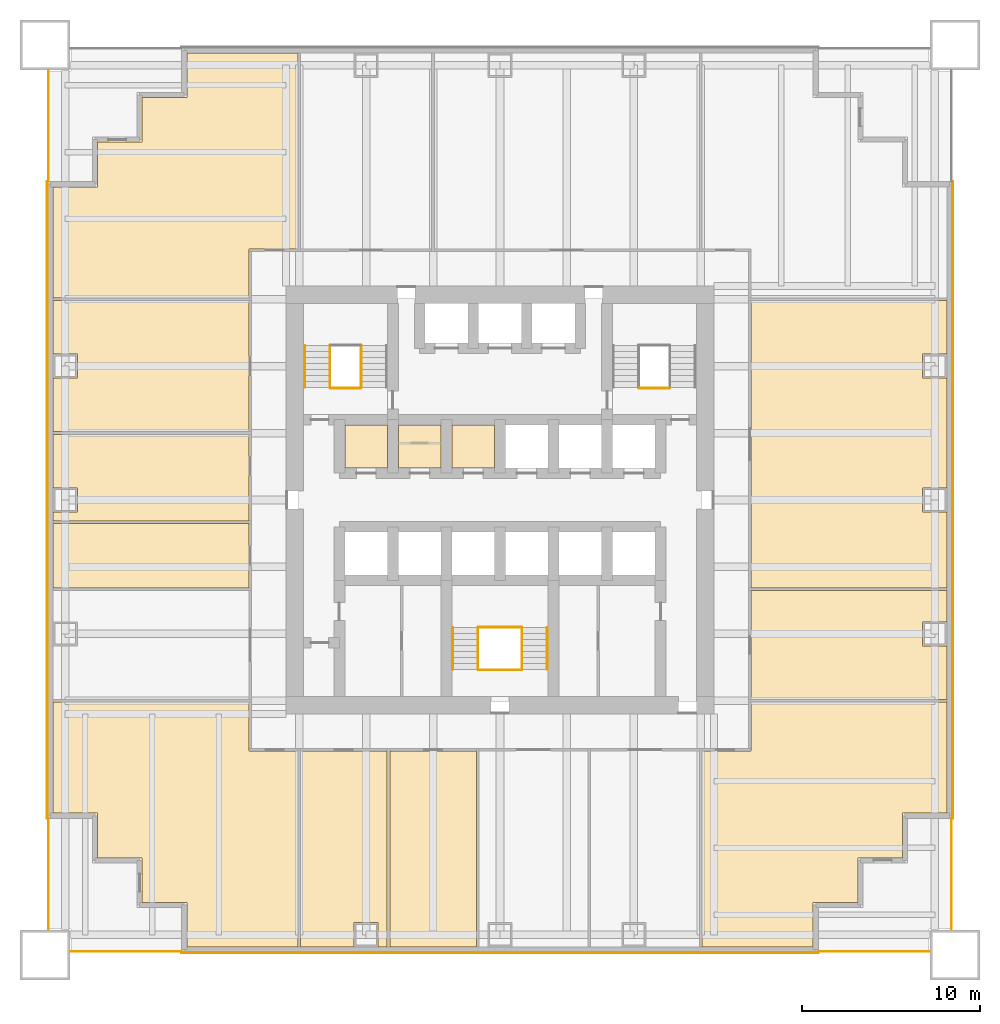
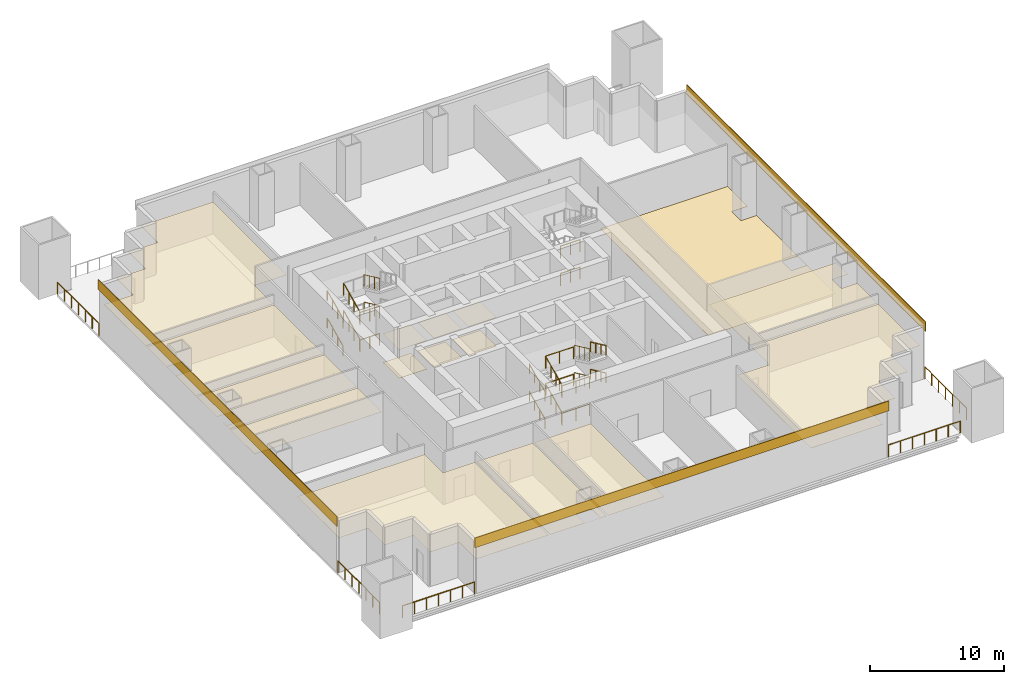
# One storey, part 5 of 6: 27 railings, 19 coverings.
"""IFC4 building model written with IfcOpenShell, lengths in metres."""

from ifc_helpers import new_model, si_unit, direction, frame, origin, origin_2d, place, context, subcontext, project, spatial, polyline, rectangle, circle, outline, extrude, material, layer, layer_set, type_object, element, save


model = new_model("IFC4")

# Units and contexts
model_context = context("Model", 3, precision=1e-05, world=origin(), true_north=direction((0.0, 1.0)))
body_context = subcontext(model_context, "Body", "Model", "MODEL_VIEW")
ifc_project = project(units=[si_unit("LENGTHUNIT", "METRE"), si_unit("AREAUNIT", "SQUARE_METRE"), si_unit("VOLUMEUNIT", "CUBIC_METRE"), si_unit("PLANEANGLEUNIT", "RADIAN"), si_unit("MASSUNIT", "GRAM", prefix="KILO")], contexts=[model_context])

# Site, building, storey
site_placement = place(None, origin())
site = spatial("IfcSite", under=ifc_project, at=site_placement, CompositionType="ELEMENT")
building_placement = place(site_placement, origin())
building = spatial("IfcBuilding", under=site, at=building_placement, Name="Tarangal Relay Tower", CompositionType="ELEMENT")
storey_placement = place(building_placement, frame((0.0, 0.0, 93.39990234375)))
storey = spatial("IfcBuildingStorey", under=building, at=storey_placement, Name="L18", CompositionType="ELEMENT", Elevation=93.39990234375)

# Coverings
ifc_material_1 = material(Name="Anti-static vinyl flooring", Category="plastic")
ifc_layer_1 = layer(ifc_material_1, 0.010009765625)
ifc_layer_set_1 = layer_set([ifc_layer_1], Name="Anti-static vinyl floor")
covering_type_1 = type_object("IfcCoveringType", Name="Anti-static vinyl floor", PredefinedType="FLOORING", material=ifc_layer_set_1)
covering_1_placement = place(storey_placement, origin())
element("IfcCovering", 1, at=covering_1_placement, inside=storey, type_object=covering_type_1, Name="Floor finish FL1 L18-D1", PredefinedType="FLOORING", context=body_context, shape_type="SweptSolid", body=[
    extrude(outline(polyline([(-8.699951171875, 1.800048828125), (-6.300048828125, 1.800048828125), (-6.300048828125, 4.199951171875), (-8.699951171875, 4.199951171875), (-8.699951171875, 1.800048828125)])), origin(), (0.0, 0.0, 1.0), 0.010009765625),
])
covering_2_placement = place(storey_placement, origin())
element("IfcCovering", 2, at=covering_2_placement, inside=storey, type_object=covering_type_1, Name="Floor finish FL1 L18-D2", PredefinedType="FLOORING", context=body_context, shape_type="SweptSolid", body=[
    extrude(outline(polyline([(-5.699951171875, 1.800048828125), (-3.300048828125, 1.800048828125), (-3.300048828125, 4.199951171875), (-5.699951171875, 4.199951171875), (-5.699951171875, 1.800048828125)])), origin(), (0.0, 0.0, 1.0), 0.010009765625),
])
covering_3_placement = place(storey_placement, origin())
element("IfcCovering", 3, at=covering_3_placement, inside=storey, type_object=covering_type_1, Name="Floor finish FL1 L18-D3", PredefinedType="FLOORING", context=body_context, shape_type="SweptSolid", body=[
    extrude(outline(polyline([(-2.699951171875, 1.800048828125), (-0.300048828125, 1.800048828125), (-0.300048828125, 4.199951171875), (-2.699951171875, 4.199951171875), (-2.699951171875, 1.800048828125)])), origin(), (0.0, 0.0, 1.0), 0.010009765625),
])
covering_4_placement = place(storey_placement, origin())
element("IfcCovering", 4, at=covering_4_placement, inside=storey, type_object=covering_type_1, Name="Floor finish FL1 L18-04", PredefinedType="FLOORING", context=body_context, shape_type="SweptSolid", body=[
    extrude(outline(polyline([(25.050048828125, -4.925048828125), (25.050048828125, 11.175048828125), (14.074951171875, 11.175048828125), (14.074951171875, -4.925048828125), (25.050048828125, -4.925048828125)]), holes=[polyline([(25.0400390625, -0.675048828125), (25.0400390625, 0.675048828125), (23.68994140625, 0.675048828125), (23.68994140625, -0.675048828125), (25.0400390625, -0.675048828125)]), polyline([(25.0400390625, 6.824951171875), (25.0400390625, 8.175048828125), (23.68994140625, 8.175048828125), (23.68994140625, 6.824951171875), (25.0400390625, 6.824951171875)])]), origin(), (0.0, 0.0, 1.0), 0.010009765625),
])
ifc_material_2 = material(Name="Black anodised aluminium cladding", Category="aluminium")
ifc_layer_2 = layer(ifc_material_2, 0.050048828125)
ifc_layer_set_2 = layer_set([ifc_layer_2], Name="Black metal spandrel band")
covering_type_2 = type_object("IfcCoveringType", Name="Black metal spandrel band", PredefinedType="CLADDING", material=ifc_layer_set_2)
for number, where, z_axis, x_axis, name in (
    (5, (25.375, 0.0, 4.250244140625), (0.0, 0.0, 1.0), (0.0, -1.0, 0.0), "Spandrel band SB1 E L18"),
    (6, (0.0, -25.375, 4.250244140625), (0.0, 0.0, 1.0), (-1.0, 0.0, 0.0), "Spandrel band SB1 S L18"),
    (7, (-25.375, 0.0, 4.250244140625), (0.0, 0.0, 1.0), (0.0, 1.0, 0.0), "Spandrel band SB1 W L18"),
):
    element("IfcCovering", number, at=place(storey_placement, frame(where, z_axis=z_axis, x_axis=x_axis)), inside=storey, type_object=covering_type_2, Name=name, PredefinedType="CLADDING", context=body_context, shape_type="SweptSolid", body=[
        extrude(rectangle(XDim=35.699951171875, YDim=0.050048828125, at=origin_2d()), origin(), (0.0, 0.0, 1.0), 0.89990234375),
    ])

# Railings
ifc_material_3 = material(Name="Steel guard, black finish", Category="steel")
railing_type_1 = type_object("IfcRailingType", Name="Stair guard 1100", PredefinedType="GUARDRAIL", material=ifc_material_3)
railing_1_placement = place(storey_placement, frame((-9.530029296875, 6.300048828125, 0.156494140625)))
element("IfcRailing", 8, at=railing_1_placement, inside=storey, type_object=railing_type_1, Name="Stair ST-A guard GR1 L18 flight 1", PredefinedType="GUARDRAIL", context=body_context, shape_type="SweptSolid", body=[
    extrude(circle(Radius=0.02392578125, at=origin_2d()), frame((0.0, 0.0, 1.076171875), z_axis=(0.0, 0.906303632821, 0.42262717037), x_axis=(-1.0, 0.0, 0.0)), (0.0, 0.0, 1.0), 2.58740234375),
    extrude(circle(Radius=0.02099609375, at=origin_2d()), origin(), (0.0, 0.0, 1.0), 1.052001953125),
    extrude(circle(Radius=0.02099609375, at=origin_2d()), frame((0.0, 0.78173828125, 0.364501953125)), (0.0, 0.0, 1.0), 1.052001953125),
    extrude(circle(Radius=0.02099609375, at=origin_2d()), frame((0.0, 1.563232421875, 0.72900390625)), (0.0, 0.0, 1.0), 1.052001953125),
    extrude(circle(Radius=0.02099609375, at=origin_2d()), frame((0.0, 2.344970703125, 1.093505859375)), (0.0, 0.0, 1.0), 1.052001953125),
])
railing_2_placement = place(storey_placement, frame((-7.77001953125, 8.64501953125, 1.406494140625)))
element("IfcRailing", 9, at=railing_2_placement, inside=storey, type_object=railing_type_1, Name="Stair ST-A guard GR1 L18 flight 2", PredefinedType="GUARDRAIL", context=body_context, shape_type="SweptSolid", body=[
    extrude(circle(Radius=0.02392578125, at=origin_2d()), frame((0.0, 0.0, 1.076171875), z_axis=(0.0, -0.906303632821, 0.42262717037), x_axis=(1.0, 0.0, 0.0)), (0.0, 0.0, 1.0), 2.58740234375),
    extrude(circle(Radius=0.02099609375, at=origin_2d()), origin(), (0.0, 0.0, 1.0), 1.052001953125),
    extrude(circle(Radius=0.02099609375, at=origin_2d()), frame((0.0, -0.78173828125, 0.364501953125)), (0.0, 0.0, 1.0), 1.052001953125),
    extrude(circle(Radius=0.02099609375, at=origin_2d()), frame((0.0, -1.563232421875, 0.72900390625)), (0.0, 0.0, 1.0), 1.052001953125),
    extrude(circle(Radius=0.02099609375, at=origin_2d()), frame((0.0, -2.344970703125, 1.093505859375)), (0.0, 0.0, 1.0), 1.052001953125),
])
railing_3_placement = place(storey_placement, frame((-9.530029296875, 6.300048828125, 2.656494140625)))
element("IfcRailing", 10, at=railing_3_placement, inside=storey, type_object=railing_type_1, Name="Stair ST-A guard GR1 L18 flight 3", PredefinedType="GUARDRAIL", context=body_context, shape_type="SweptSolid", body=[
    extrude(circle(Radius=0.02392578125, at=origin_2d()), frame((0.0, 0.0, 1.076171875), z_axis=(0.0, 0.906303632821, 0.42262717037), x_axis=(-1.0, 0.0, 0.0)), (0.0, 0.0, 1.0), 2.58740234375),
    extrude(circle(Radius=0.02099609375, at=origin_2d()), origin(), (0.0, 0.0, 1.0), 1.052001953125),
    extrude(circle(Radius=0.02099609375, at=origin_2d()), frame((0.0, 0.78173828125, 0.364501953125)), (0.0, 0.0, 1.0), 1.052001953125),
    extrude(circle(Radius=0.02099609375, at=origin_2d()), frame((0.0, 1.563232421875, 0.72900390625)), (0.0, 0.0, 1.0), 1.052001953125),
    extrude(circle(Radius=0.02099609375, at=origin_2d()), frame((0.0, 2.344970703125, 1.093505859375)), (0.0, 0.0, 1.0), 1.052001953125),
])
railing_4_placement = place(storey_placement, frame((-7.77001953125, 8.64501953125, 3.906494140625)))
element("IfcRailing", 11, at=railing_4_placement, inside=storey, type_object=railing_type_1, Name="Stair ST-A guard GR1 L18 flight 4", PredefinedType="GUARDRAIL", context=body_context, shape_type="SweptSolid", body=[
    extrude(circle(Radius=0.02392578125, at=origin_2d()), frame((0.0, 0.0, 1.076171875), z_axis=(0.0, -0.906303632821, 0.42262717037), x_axis=(1.0, 0.0, 0.0)), (0.0, 0.0, 1.0), 2.58740234375),
    extrude(circle(Radius=0.02099609375, at=origin_2d()), origin(), (0.0, 0.0, 1.0), 1.052001953125),
    extrude(circle(Radius=0.02099609375, at=origin_2d()), frame((0.0, -0.78173828125, 0.364501953125)), (0.0, 0.0, 1.0), 1.052001953125),
    extrude(circle(Radius=0.02099609375, at=origin_2d()), frame((0.0, -1.563232421875, 0.72900390625)), (0.0, 0.0, 1.0), 1.052001953125),
    extrude(circle(Radius=0.02099609375, at=origin_2d()), frame((0.0, -2.344970703125, 1.093505859375)), (0.0, 0.0, 1.0), 1.052001953125),
])
for number, where, name in (
    (12, (-9.5, 6.27001953125, 0.0), "Stair ST-A landing guard GR1 L18"),
    (13, (-9.5, 6.27001953125, 2.5), "Stair ST-A landing guard GR1 L18"),
    (14, (7.800048828125, 6.27001953125, 0.0), "Stair ST-B landing guard GR1 L18"),
    (15, (7.800048828125, 6.27001953125, 2.5), "Stair ST-B landing guard GR1 L18"),
):
    element("IfcRailing", number, at=place(storey_placement, frame(where)), inside=storey, type_object=railing_type_1, Name=name, PredefinedType="GUARDRAIL", context=body_context, shape_type="SweptSolid", body=[
        extrude(circle(Radius=0.02392578125, at=origin_2d()), frame((0.0, 0.0, 1.076171875), z_axis=(1.0, 0.0, 0.0), x_axis=(0.0, 1.0, 0.0)), (0.0, 0.0, 1.0), 1.699951171875),
        extrude(circle(Radius=0.02099609375, at=origin_2d()), origin(), (0.0, 0.0, 1.0), 1.052001953125),
        extrude(circle(Radius=0.02099609375, at=origin_2d()), frame((0.85009765625, 0.0, 0.0)), (0.0, 0.0, 1.0), 1.052001953125),
        extrude(circle(Radius=0.02099609375, at=origin_2d()), frame((1.699951171875, 0.0, 0.0)), (0.0, 0.0, 1.0), 1.052001953125),
    ])
railing_5_placement = place(storey_placement, frame((-1.22998046875, -9.5, 0.156494140625)))
element("IfcRailing", 16, at=railing_5_placement, inside=storey, type_object=railing_type_1, Name="Stair ST-C guard GR1 L18 flight 1", PredefinedType="GUARDRAIL", context=body_context, shape_type="SweptSolid", body=[
    extrude(circle(Radius=0.02392578125, at=origin_2d()), frame((0.0, 0.0, 1.076171875), z_axis=(0.0, 0.906303632821, 0.42262717037), x_axis=(-1.0, 0.0, 0.0)), (0.0, 0.0, 1.0), 2.58740234375),
    extrude(circle(Radius=0.02099609375, at=origin_2d()), origin(), (0.0, 0.0, 1.0), 1.052001953125),
    extrude(circle(Radius=0.02099609375, at=origin_2d()), frame((0.0, 0.78173828125, 0.364501953125)), (0.0, 0.0, 1.0), 1.052001953125),
    extrude(circle(Radius=0.02099609375, at=origin_2d()), frame((0.0, 1.563232421875, 0.72900390625)), (0.0, 0.0, 1.0), 1.052001953125),
    extrude(circle(Radius=0.02099609375, at=origin_2d()), frame((0.0, 2.344970703125, 1.093505859375)), (0.0, 0.0, 1.0), 1.052001953125),
])
railing_6_placement = place(storey_placement, frame((1.22998046875, -7.155029296875, 1.406494140625)))
element("IfcRailing", 17, at=railing_6_placement, inside=storey, type_object=railing_type_1, Name="Stair ST-C guard GR1 L18 flight 2", PredefinedType="GUARDRAIL", context=body_context, shape_type="SweptSolid", body=[
    extrude(circle(Radius=0.02392578125, at=origin_2d()), frame((0.0, 0.0, 1.076171875), z_axis=(0.0, -0.906303632821, 0.42262717037), x_axis=(1.0, 0.0, 0.0)), (0.0, 0.0, 1.0), 2.58740234375),
    extrude(circle(Radius=0.02099609375, at=origin_2d()), origin(), (0.0, 0.0, 1.0), 1.052001953125),
    extrude(circle(Radius=0.02099609375, at=origin_2d()), frame((0.0, -0.78173828125, 0.364501953125)), (0.0, 0.0, 1.0), 1.052001953125),
    extrude(circle(Radius=0.02099609375, at=origin_2d()), frame((0.0, -1.563232421875, 0.72900390625)), (0.0, 0.0, 1.0), 1.052001953125),
    extrude(circle(Radius=0.02099609375, at=origin_2d()), frame((0.0, -2.344970703125, 1.093505859375)), (0.0, 0.0, 1.0), 1.052001953125),
])
railing_7_placement = place(storey_placement, frame((-1.22998046875, -9.5, 2.656494140625)))
element("IfcRailing", 18, at=railing_7_placement, inside=storey, type_object=railing_type_1, Name="Stair ST-C guard GR1 L18 flight 3", PredefinedType="GUARDRAIL", context=body_context, shape_type="SweptSolid", body=[
    extrude(circle(Radius=0.02392578125, at=origin_2d()), frame((0.0, 0.0, 1.076171875), z_axis=(0.0, 0.906303632821, 0.42262717037), x_axis=(-1.0, 0.0, 0.0)), (0.0, 0.0, 1.0), 2.58740234375),
    extrude(circle(Radius=0.02099609375, at=origin_2d()), origin(), (0.0, 0.0, 1.0), 1.052001953125),
    extrude(circle(Radius=0.02099609375, at=origin_2d()), frame((0.0, 0.78173828125, 0.364501953125)), (0.0, 0.0, 1.0), 1.052001953125),
    extrude(circle(Radius=0.02099609375, at=origin_2d()), frame((0.0, 1.563232421875, 0.72900390625)), (0.0, 0.0, 1.0), 1.052001953125),
    extrude(circle(Radius=0.02099609375, at=origin_2d()), frame((0.0, 2.344970703125, 1.093505859375)), (0.0, 0.0, 1.0), 1.052001953125),
])
railing_8_placement = place(storey_placement, frame((1.22998046875, -7.155029296875, 3.906494140625)))
element("IfcRailing", 19, at=railing_8_placement, inside=storey, type_object=railing_type_1, Name="Stair ST-C guard GR1 L18 flight 4", PredefinedType="GUARDRAIL", context=body_context, shape_type="SweptSolid", body=[
    extrude(circle(Radius=0.02392578125, at=origin_2d()), frame((0.0, 0.0, 1.076171875), z_axis=(0.0, -0.906303632821, 0.42262717037), x_axis=(1.0, 0.0, 0.0)), (0.0, 0.0, 1.0), 2.58740234375),
    extrude(circle(Radius=0.02099609375, at=origin_2d()), origin(), (0.0, 0.0, 1.0), 1.052001953125),
    extrude(circle(Radius=0.02099609375, at=origin_2d()), frame((0.0, -0.78173828125, 0.364501953125)), (0.0, 0.0, 1.0), 1.052001953125),
    extrude(circle(Radius=0.02099609375, at=origin_2d()), frame((0.0, -1.563232421875, 0.72900390625)), (0.0, 0.0, 1.0), 1.052001953125),
    extrude(circle(Radius=0.02099609375, at=origin_2d()), frame((0.0, -2.344970703125, 1.093505859375)), (0.0, 0.0, 1.0), 1.052001953125),
])
for number, where, name in (
    (20, (-1.199951171875, -9.530029296875, 0.0), "Stair ST-C landing guard GR1 L18"),
    (21, (-1.199951171875, -7.125, 1.25), "Stair ST-C landing guard GR1 L18"),
    (22, (-1.199951171875, -9.530029296875, 2.5), "Stair ST-C landing guard GR1 L18"),
    (23, (-1.199951171875, -7.125, 3.75), "Stair ST-C landing guard GR1 L18"),
):
    element("IfcRailing", number, at=place(storey_placement, frame(where)), inside=storey, type_object=railing_type_1, Name=name, PredefinedType="GUARDRAIL", context=body_context, shape_type="SweptSolid", body=[
        extrude(circle(Radius=0.02392578125, at=origin_2d()), frame((0.0, 0.0, 1.076171875), z_axis=(1.0, 0.0, 0.0), x_axis=(0.0, 1.0, 0.0)), (0.0, 0.0, 1.0), 2.39990234375),
        extrude(circle(Radius=0.02099609375, at=origin_2d()), origin(), (0.0, 0.0, 1.0), 1.052001953125),
        extrude(circle(Radius=0.02099609375, at=origin_2d()), frame((1.199951171875, 0.0, 0.0)), (0.0, 0.0, 1.0), 1.052001953125),
        extrude(circle(Radius=0.02099609375, at=origin_2d()), frame((2.39990234375, 0.0, 0.0)), (0.0, 0.0, 1.0), 1.052001953125),
    ])
ifc_material_4 = material(Name="Steel handrail, black finish", Category="steel")
railing_type_2 = type_object("IfcRailingType", Name="Stair handrail 900", PredefinedType="HANDRAIL", material=ifc_material_4)
for number, where, name in (
    (24, (-10.93994140625, 6.300048828125, 0.156494140625), "Stair ST-A handrail HR1 L18 flight 1"),
    (25, (-10.93994140625, 6.300048828125, 2.656494140625), "Stair ST-A handrail HR1 L18 flight 3"),
    (26, (-2.639892578125, -9.5, 0.156494140625), "Stair ST-C handrail HR1 L18 flight 1"),
):
    element("IfcRailing", number, at=place(storey_placement, frame(where)), inside=storey, type_object=railing_type_2, Name=name, PredefinedType="HANDRAIL", context=body_context, shape_type="SweptSolid", body=[
        extrude(circle(Radius=0.02392578125, at=origin_2d()), frame((0.0, 0.0, 0.8759765625), z_axis=(0.0, 0.906303632821, 0.42262717037), x_axis=(-1.0, 0.0, 0.0)), (0.0, 0.0, 1.0), 2.58740234375),
        extrude(circle(Radius=0.02099609375, at=origin_2d()), origin(), (0.0, 0.0, 1.0), 0.851806640625),
        extrude(circle(Radius=0.02099609375, at=origin_2d()), frame((0.0, 0.78173828125, 0.364501953125)), (0.0, 0.0, 1.0), 0.851806640625),
        extrude(circle(Radius=0.02099609375, at=origin_2d()), frame((0.0, 1.563232421875, 0.72900390625)), (0.0, 0.0, 1.0), 0.851806640625),
        extrude(circle(Radius=0.02099609375, at=origin_2d()), frame((0.0, 2.344970703125, 1.093505859375)), (0.0, 0.0, 1.0), 0.851806640625),
    ])
railing_9_placement = place(storey_placement, frame((2.639892578125, -7.155029296875, 1.406494140625)))
element("IfcRailing", 27, at=railing_9_placement, inside=storey, type_object=railing_type_2, Name="Stair ST-C handrail HR1 L18 flight 2", PredefinedType="HANDRAIL", context=body_context, shape_type="SweptSolid", body=[
    extrude(circle(Radius=0.02392578125, at=origin_2d()), frame((0.0, 0.0, 0.8759765625), z_axis=(0.0, -0.906303632821, 0.42262717037), x_axis=(1.0, 0.0, 0.0)), (0.0, 0.0, 1.0), 2.58740234375),
    extrude(circle(Radius=0.02099609375, at=origin_2d()), origin(), (0.0, 0.0, 1.0), 0.851806640625),
    extrude(circle(Radius=0.02099609375, at=origin_2d()), frame((0.0, -0.78173828125, 0.364501953125)), (0.0, 0.0, 1.0), 0.851806640625),
    extrude(circle(Radius=0.02099609375, at=origin_2d()), frame((0.0, -1.563232421875, 0.72900390625)), (0.0, 0.0, 1.0), 0.851806640625),
    extrude(circle(Radius=0.02099609375, at=origin_2d()), frame((0.0, -2.344970703125, 1.093505859375)), (0.0, 0.0, 1.0), 0.851806640625),
])
railing_10_placement = place(storey_placement, frame((-2.639892578125, -9.5, 2.656494140625)))
element("IfcRailing", 28, at=railing_10_placement, inside=storey, type_object=railing_type_2, Name="Stair ST-C handrail HR1 L18 flight 3", PredefinedType="HANDRAIL", context=body_context, shape_type="SweptSolid", body=[
    extrude(circle(Radius=0.02392578125, at=origin_2d()), frame((0.0, 0.0, 0.8759765625), z_axis=(0.0, 0.906303632821, 0.42262717037), x_axis=(-1.0, 0.0, 0.0)), (0.0, 0.0, 1.0), 2.58740234375),
    extrude(circle(Radius=0.02099609375, at=origin_2d()), origin(), (0.0, 0.0, 1.0), 0.851806640625),
    extrude(circle(Radius=0.02099609375, at=origin_2d()), frame((0.0, 0.78173828125, 0.364501953125)), (0.0, 0.0, 1.0), 0.851806640625),
    extrude(circle(Radius=0.02099609375, at=origin_2d()), frame((0.0, 1.563232421875, 0.72900390625)), (0.0, 0.0, 1.0), 0.851806640625),
    extrude(circle(Radius=0.02099609375, at=origin_2d()), frame((0.0, 2.344970703125, 1.093505859375)), (0.0, 0.0, 1.0), 0.851806640625),
])
railing_11_placement = place(storey_placement, frame((2.639892578125, -7.155029296875, 3.906494140625)))
element("IfcRailing", 29, at=railing_11_placement, inside=storey, type_object=railing_type_2, Name="Stair ST-C handrail HR1 L18 flight 4", PredefinedType="HANDRAIL", context=body_context, shape_type="SweptSolid", body=[
    extrude(circle(Radius=0.02392578125, at=origin_2d()), frame((0.0, 0.0, 0.8759765625), z_axis=(0.0, -0.906303632821, 0.42262717037), x_axis=(1.0, 0.0, 0.0)), (0.0, 0.0, 1.0), 2.58740234375),
    extrude(circle(Radius=0.02099609375, at=origin_2d()), origin(), (0.0, 0.0, 1.0), 0.851806640625),
    extrude(circle(Radius=0.02099609375, at=origin_2d()), frame((0.0, -0.78173828125, 0.364501953125)), (0.0, 0.0, 1.0), 0.851806640625),
    extrude(circle(Radius=0.02099609375, at=origin_2d()), frame((0.0, -1.563232421875, 0.72900390625)), (0.0, 0.0, 1.0), 0.851806640625),
    extrude(circle(Radius=0.02099609375, at=origin_2d()), frame((0.0, -2.344970703125, 1.093505859375)), (0.0, 0.0, 1.0), 0.851806640625),
])

# Coverings
ifc_material_5 = material(Name="Mineral fibre ceiling tiles", Category="gypsum")
ifc_layer_3 = layer(ifc_material_5, 0.02001953125)
ifc_layer_set_3 = layer_set([ifc_layer_3], Name="Suspended ceiling")
covering_type_3 = type_object("IfcCoveringType", Name="Suspended ceiling", PredefinedType="CEILING", material=ifc_layer_set_3)
covering_5_placement = place(storey_placement, frame((0.0, 0.0, 2.60009765625)))
element("IfcCovering", 30, at=covering_5_placement, inside=storey, type_object=covering_type_3, Name="Suspended ceiling CL1 L18-D1", PredefinedType="CEILING", context=body_context, shape_type="SweptSolid", body=[
    extrude(outline(polyline([(-8.699951171875, 1.800048828125), (-6.300048828125, 1.800048828125), (-6.300048828125, 4.199951171875), (-8.699951171875, 4.199951171875), (-8.699951171875, 1.800048828125)])), origin(), (0.0, 0.0, 1.0), 0.02001953125),
])
covering_6_placement = place(storey_placement, frame((0.0, 0.0, 2.60009765625)))
element("IfcCovering", 31, at=covering_6_placement, inside=storey, type_object=covering_type_3, Name="Suspended ceiling CL1 L18-D2", PredefinedType="CEILING", context=body_context, shape_type="SweptSolid", body=[
    extrude(outline(polyline([(-5.699951171875, 1.800048828125), (-3.300048828125, 1.800048828125), (-3.300048828125, 4.199951171875), (-5.699951171875, 4.199951171875), (-5.699951171875, 1.800048828125)])), origin(), (0.0, 0.0, 1.0), 0.02001953125),
])
covering_7_placement = place(storey_placement, frame((0.0, 0.0, 2.60009765625)))
element("IfcCovering", 32, at=covering_7_placement, inside=storey, type_object=covering_type_3, Name="Suspended ceiling CL1 L18-D3", PredefinedType="CEILING", context=body_context, shape_type="SweptSolid", body=[
    extrude(outline(polyline([(-2.699951171875, 1.800048828125), (-0.300048828125, 1.800048828125), (-0.300048828125, 4.199951171875), (-2.699951171875, 4.199951171875), (-2.699951171875, 1.800048828125)])), origin(), (0.0, 0.0, 1.0), 0.02001953125),
])
covering_8_placement = place(storey_placement, frame((0.0, 0.0, 2.900146484375)))
element("IfcCovering", 33, at=covering_8_placement, inside=storey, type_object=covering_type_3, Name="Suspended ceiling CL1 L18-05", PredefinedType="CEILING", context=body_context, shape_type="SweptSolid", body=[
    extrude(outline(polyline([(25.050048828125, -11.175048828125), (25.050048828125, -5.074951171875), (14.074951171875, -5.074951171875), (14.074951171875, -11.175048828125), (25.050048828125, -11.175048828125)]), holes=[polyline([(25.0400390625, -6.824951171875), (23.68994140625, -6.824951171875), (23.68994140625, -8.175048828125), (25.0400390625, -8.175048828125), (25.0400390625, -6.824951171875)])]), origin(), (0.0, 0.0, 1.0), 0.02001953125),
])
covering_9_placement = place(storey_placement, frame((0.0, 0.0, 2.900146484375)))
element("IfcCovering", 34, at=covering_9_placement, inside=storey, type_object=covering_type_3, Name="Suspended ceiling CL1 L18-08", PredefinedType="CEILING", context=body_context, shape_type="SweptSolid", body=[
    extrude(outline(polyline([(-1.324951171875, -25.050048828125), (-1.324951171875, -14.074951171875), (-6.175048828125, -14.074951171875), (-6.175048828125, -25.050048828125), (-1.324951171875, -25.050048828125)])), origin(), (0.0, 0.0, 1.0), 0.02001953125),
])
covering_10_placement = place(storey_placement, frame((0.0, 0.0, 2.900146484375)))
element("IfcCovering", 35, at=covering_10_placement, inside=storey, type_object=covering_type_3, Name="Suspended ceiling CL1 L18-09", PredefinedType="CEILING", context=body_context, shape_type="SweptSolid", body=[
    extrude(outline(polyline([(-11.175048828125, -25.050048828125), (-6.324951171875, -25.050048828125), (-6.324951171875, -14.074951171875), (-11.175048828125, -14.074951171875), (-11.175048828125, -25.050048828125)]), holes=[polyline([(-6.824951171875, -23.68994140625), (-8.175048828125, -23.68994140625), (-8.175048828125, -25.0400390625), (-6.824951171875, -25.0400390625), (-6.824951171875, -23.68994140625)])]), origin(), (0.0, 0.0, 1.0), 0.02001953125),
])
covering_11_placement = place(storey_placement, frame((0.0, 0.0, 2.900146484375)))
element("IfcCovering", 36, at=covering_11_placement, inside=storey, type_object=covering_type_3, Name="Suspended ceiling CL1 L18-11", PredefinedType="CEILING", context=body_context, shape_type="SweptSolid", body=[
    extrude(outline(polyline([(-25.050048828125, -4.925048828125), (-14.074951171875, -4.925048828125), (-14.074951171875, -1.324951171875), (-25.050048828125, -1.324951171875), (-25.050048828125, -4.925048828125)])), origin(), (0.0, 0.0, 1.0), 0.02001953125),
])
covering_12_placement = place(storey_placement, frame((0.0, 0.0, 2.900146484375)))
element("IfcCovering", 37, at=covering_12_placement, inside=storey, type_object=covering_type_3, Name="Suspended ceiling CL1 L18-12", PredefinedType="CEILING", context=body_context, shape_type="SweptSolid", body=[
    extrude(outline(polyline([(-25.050048828125, 3.675048828125), (-25.050048828125, -1.175048828125), (-14.074951171875, -1.175048828125), (-14.074951171875, 3.675048828125), (-25.050048828125, 3.675048828125)]), holes=[polyline([(-23.68994140625, 0.675048828125), (-25.0400390625, 0.675048828125), (-25.0400390625, -0.675048828125), (-23.68994140625, -0.675048828125), (-23.68994140625, 0.675048828125)])]), origin(), (0.0, 0.0, 1.0), 0.02001953125),
])
covering_13_placement = place(storey_placement, frame((0.0, 0.0, 2.900146484375)))
element("IfcCovering", 38, at=covering_13_placement, inside=storey, type_object=covering_type_3, Name="Suspended ceiling CL1 L18-13", PredefinedType="CEILING", context=body_context, shape_type="SweptSolid", body=[
    extrude(outline(polyline([(-25.050048828125, 11.175048828125), (-25.050048828125, 3.824951171875), (-14.074951171875, 3.824951171875), (-14.074951171875, 11.175048828125), (-25.050048828125, 11.175048828125)]), holes=[polyline([(-23.68994140625, 8.175048828125), (-25.0400390625, 8.175048828125), (-25.0400390625, 6.824951171875), (-23.68994140625, 6.824951171875), (-23.68994140625, 8.175048828125)])]), origin(), (0.0, 0.0, 1.0), 0.02001953125),
])
covering_14_placement = place(storey_placement, frame((0.0, 0.0, 2.900146484375)))
element("IfcCovering", 39, at=covering_14_placement, inside=storey, type_object=covering_type_3, Name="Suspended ceiling CL1 L18-15", PredefinedType="CEILING", context=body_context, shape_type="SweptSolid", body=[
    extrude(outline(polyline([(25.050048828125, -17.550048828125), (25.050048828125, -11.324951171875), (14.074951171875, -11.324951171875), (14.074951171875, -14.074951171875), (11.324951171875, -14.074951171875), (11.324951171875, -25.050048828125), (17.550048828125, -25.050048828125), (17.550048828125, -22.550048828125), (20.050048828125, -22.550048828125), (20.050048828125, -20.050048828125), (22.550048828125, -20.050048828125), (22.550048828125, -17.550048828125), (25.050048828125, -17.550048828125)])), origin(), (0.0, 0.0, 1.0), 0.02001953125),
])
covering_15_placement = place(storey_placement, frame((0.0, 0.0, 2.900146484375)))
element("IfcCovering", 40, at=covering_15_placement, inside=storey, type_object=covering_type_3, Name="Suspended ceiling CL1 L18-16", PredefinedType="CEILING", context=body_context, shape_type="SweptSolid", body=[
    extrude(outline(polyline([(-17.550048828125, -22.550048828125), (-17.550048828125, -25.050048828125), (-11.324951171875, -25.050048828125), (-11.324951171875, -14.074951171875), (-14.074951171875, -14.074951171875), (-14.074951171875, -11.324951171875), (-25.050048828125, -11.324951171875), (-25.050048828125, -17.550048828125), (-22.550048828125, -17.550048828125), (-22.550048828125, -20.050048828125), (-20.050048828125, -20.050048828125), (-20.050048828125, -22.550048828125), (-17.550048828125, -22.550048828125)])), origin(), (0.0, 0.0, 1.0), 0.02001953125),
])
covering_16_placement = place(storey_placement, frame((0.0, 0.0, 2.900146484375)))
element("IfcCovering", 41, at=covering_16_placement, inside=storey, type_object=covering_type_3, Name="Suspended ceiling CL1 L18-17", PredefinedType="CEILING", context=body_context, shape_type="SweptSolid", body=[
    extrude(outline(polyline([(-22.550048828125, 17.550048828125), (-25.050048828125, 17.550048828125), (-25.050048828125, 11.324951171875), (-14.074951171875, 11.324951171875), (-14.074951171875, 14.074951171875), (-11.324951171875, 14.074951171875), (-11.324951171875, 25.050048828125), (-17.550048828125, 25.050048828125), (-17.550048828125, 22.550048828125), (-20.050048828125, 22.550048828125), (-20.050048828125, 20.050048828125), (-22.550048828125, 20.050048828125), (-22.550048828125, 17.550048828125)])), origin(), (0.0, 0.0, 1.0), 0.02001953125),
])

# Railings
ifc_material_6 = material(Name="Black steel guard with glass infill", Category="steel")
railing_type_3 = type_object("IfcRailingType", Name="Terrace guard 1100", PredefinedType="GUARDRAIL", material=ifc_material_6)
railing_12_placement = place(storey_placement, frame((25.300048828125, -17.85009765625, 0.0)))
element("IfcRailing", 42, at=railing_12_placement, inside=storey, type_object=railing_type_3, Name="Terrace guard GR2 SE L18", PredefinedType="GUARDRAIL", context=body_context, shape_type="SweptSolid", body=[
    extrude(circle(Radius=0.02392578125, at=origin_2d()), frame((0.0, 0.0, 1.076171875), z_axis=(0.0, -1.0, 0.0), x_axis=(1.0, 0.0, 0.0)), (0.0, 0.0, 1.0), 6.199951171875),
    extrude(circle(Radius=0.02099609375, at=origin_2d()), origin(), (0.0, 0.0, 1.0), 1.052001953125),
    extrude(circle(Radius=0.02099609375, at=origin_2d()), frame((0.0, -1.033203125, 0.0)), (0.0, 0.0, 1.0), 1.052001953125),
    extrude(circle(Radius=0.02099609375, at=origin_2d()), frame((0.0, -2.066650390625, 0.0)), (0.0, 0.0, 1.0), 1.052001953125),
    extrude(circle(Radius=0.02099609375, at=origin_2d()), frame((0.0, -3.10009765625, 0.0)), (0.0, 0.0, 1.0), 1.052001953125),
    extrude(circle(Radius=0.02099609375, at=origin_2d()), frame((0.0, -4.13330078125, 0.0)), (0.0, 0.0, 1.0), 1.052001953125),
    extrude(circle(Radius=0.02099609375, at=origin_2d()), frame((0.0, -5.16650390625, 0.0)), (0.0, 0.0, 1.0), 1.052001953125),
    extrude(circle(Radius=0.02099609375, at=origin_2d()), frame((0.0, -6.199951171875, 0.0)), (0.0, 0.0, 1.0), 1.052001953125),
])
for number, where, name in (
    (43, (24.050048828125, -25.300048828125, 0.0), "Terrace guard GR2 SE L18"),
    (44, (-17.85009765625, -25.300048828125, 0.0), "Terrace guard GR2 SW L18"),
):
    element("IfcRailing", number, at=place(storey_placement, frame(where)), inside=storey, type_object=railing_type_3, Name=name, PredefinedType="GUARDRAIL", context=body_context, shape_type="SweptSolid", body=[
        extrude(circle(Radius=0.02392578125, at=origin_2d()), frame((0.0, 0.0, 1.076171875), z_axis=(-1.0, 0.0, 0.0), x_axis=(0.0, -1.0, 0.0)), (0.0, 0.0, 1.0), 6.199951171875),
        extrude(circle(Radius=0.02099609375, at=origin_2d()), origin(), (0.0, 0.0, 1.0), 1.052001953125),
        extrude(circle(Radius=0.02099609375, at=origin_2d()), frame((-1.033203125, 0.0, 0.0)), (0.0, 0.0, 1.0), 1.052001953125),
        extrude(circle(Radius=0.02099609375, at=origin_2d()), frame((-2.066650390625, 0.0, 0.0)), (0.0, 0.0, 1.0), 1.052001953125),
        extrude(circle(Radius=0.02099609375, at=origin_2d()), frame((-3.10009765625, 0.0, 0.0)), (0.0, 0.0, 1.0), 1.052001953125),
        extrude(circle(Radius=0.02099609375, at=origin_2d()), frame((-4.13330078125, 0.0, 0.0)), (0.0, 0.0, 1.0), 1.052001953125),
        extrude(circle(Radius=0.02099609375, at=origin_2d()), frame((-5.16650390625, 0.0, 0.0)), (0.0, 0.0, 1.0), 1.052001953125),
        extrude(circle(Radius=0.02099609375, at=origin_2d()), frame((-6.199951171875, 0.0, 0.0)), (0.0, 0.0, 1.0), 1.052001953125),
    ])
for number, where, name in (
    (45, (-25.300048828125, -24.050048828125, 0.0), "Terrace guard GR2 SW L18"),
    (46, (-25.300048828125, 17.85009765625, 0.0), "Terrace guard GR2 NW L18"),
):
    element("IfcRailing", number, at=place(storey_placement, frame(where)), inside=storey, type_object=railing_type_3, Name=name, PredefinedType="GUARDRAIL", context=body_context, shape_type="SweptSolid", body=[
        extrude(circle(Radius=0.02392578125, at=origin_2d()), frame((0.0, 0.0, 1.076171875), z_axis=(0.0, 1.0, 0.0), x_axis=(-1.0, 0.0, 0.0)), (0.0, 0.0, 1.0), 6.199951171875),
        extrude(circle(Radius=0.02099609375, at=origin_2d()), origin(), (0.0, 0.0, 1.0), 1.052001953125),
        extrude(circle(Radius=0.02099609375, at=origin_2d()), frame((0.0, 1.033203125, 0.0)), (0.0, 0.0, 1.0), 1.052001953125),
        extrude(circle(Radius=0.02099609375, at=origin_2d()), frame((0.0, 2.066650390625, 0.0)), (0.0, 0.0, 1.0), 1.052001953125),
        extrude(circle(Radius=0.02099609375, at=origin_2d()), frame((0.0, 3.10009765625, 0.0)), (0.0, 0.0, 1.0), 1.052001953125),
        extrude(circle(Radius=0.02099609375, at=origin_2d()), frame((0.0, 4.13330078125, 0.0)), (0.0, 0.0, 1.0), 1.052001953125),
        extrude(circle(Radius=0.02099609375, at=origin_2d()), frame((0.0, 5.16650390625, 0.0)), (0.0, 0.0, 1.0), 1.052001953125),
        extrude(circle(Radius=0.02099609375, at=origin_2d()), frame((0.0, 6.199951171875, 0.0)), (0.0, 0.0, 1.0), 1.052001953125),
    ])

save(model, "model.ifc")
